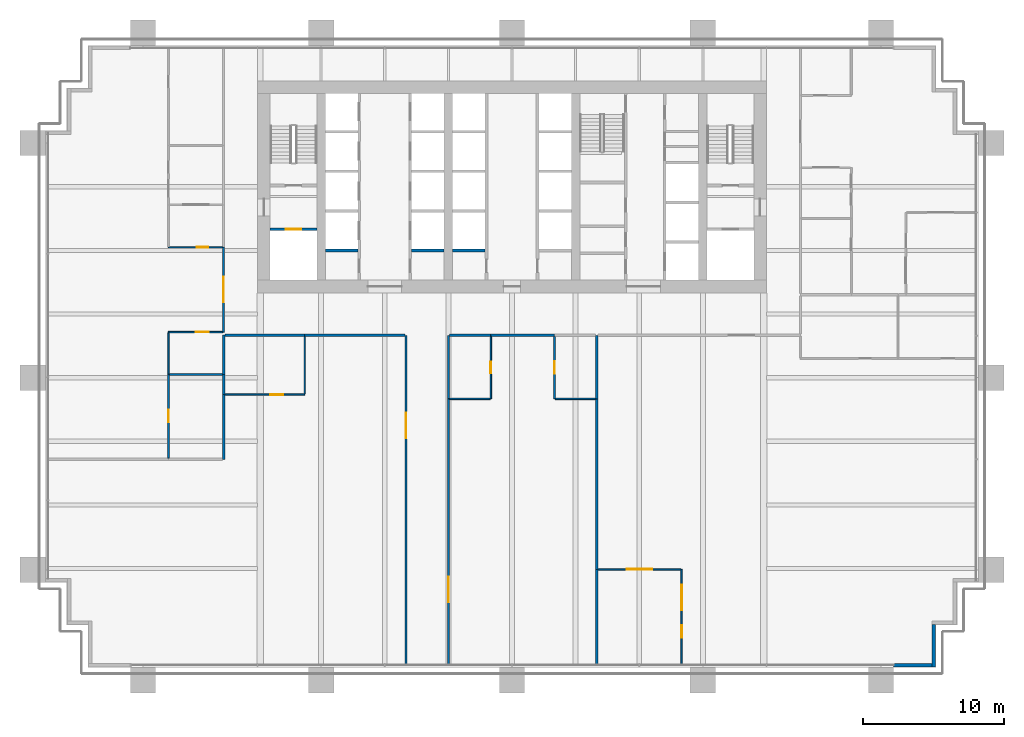
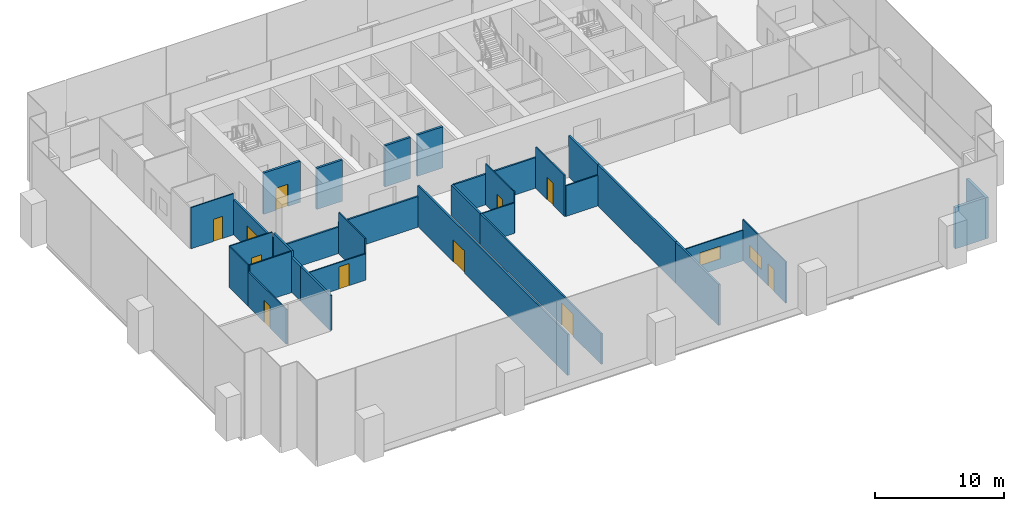
# One storey, part 11 of 17: 33 walls, 11 doors, 2 windows, 13 openings.
"""IFC4 building model written with IfcOpenShell, lengths in metres."""

from ifc_helpers import new_model, si_unit, direction, frame, frame_2d, origin, place, context, subcontext, project, spatial, rectangle, extrude, material, layer, layer_set, type_object, element, fill, save


model = new_model("IFC4")

# Units and contexts
model_context = context("Model", 3, precision=1e-05, world=origin(), true_north=direction((0.0, 1.0)))
body_context = subcontext(model_context, "Body", "Model", "MODEL_VIEW")
ifc_project = project(units=[si_unit("LENGTHUNIT", "METRE"), si_unit("AREAUNIT", "SQUARE_METRE"), si_unit("VOLUMEUNIT", "CUBIC_METRE"), si_unit("PLANEANGLEUNIT", "RADIAN"), si_unit("MASSUNIT", "GRAM", prefix="KILO")], contexts=[model_context])

# Site, building, storey
site_placement = place(None, origin())
site = spatial("IfcSite", under=ifc_project, at=site_placement, CompositionType="ELEMENT")
building_placement = place(site_placement, origin())
building = spatial("IfcBuilding", under=site, at=building_placement, Name="Rattan Terrace Tower", CompositionType="ELEMENT")
storey_placement = place(building_placement, frame((0.0, 0.0, 44.699951171875)))
storey = spatial("IfcBuildingStorey", under=building, at=storey_placement, Name="L09", CompositionType="ELEMENT", Elevation=44.699951171875)

# Wall, opening, door
ifc_material_1 = material(Name="Gypsum board partition")
ifc_layer_1 = layer(ifc_material_1, 0.199951171875)
ifc_layer_set_1 = layer_set([ifc_layer_1], Name="Core partition 200")
wall_type_1 = type_object("IfcWallType", Name="Core partition 200", PredefinedType="PARTITIONING", material=ifc_layer_set_1)
wall_1_placement = place(storey_placement, frame((-17.10009765625, -3.0, 0.0), z_axis=(0.0, 0.0, 1.0), x_axis=(1.0, 0.0, 0.0)))
wall_1 = element("IfcWall", 1, at=wall_1_placement, inside=storey, type_object=wall_type_1, Name="Fire-fighting lobby wall", PredefinedType="PARTITIONING", context=body_context, shape_type="SweptSolid", body=[
    extrude(rectangle(XDim=3.300048828125, YDim=0.199951171875, at=frame_2d((1.64990234375, 0.0))), origin(), (0.0, 0.0, 1.0), 3.900146484375),
])
opening_1_placement = place(wall_1_placement, frame((1.10009765625, 0.0, 0.0)))
opening_1 = element("IfcOpeningElement", 2, at=opening_1_placement, cuts=wall_1, Name="Opening L09-LD-FF1", PredefinedType="OPENING", context=body_context, shape_type="SweptSolid", body=[
    extrude(rectangle(XDim=1.10009765625, YDim=2.10009765625, at=frame_2d((0.550048828125, 1.050048828125))), frame((0.0, 0.110595703125, 0.0), z_axis=(0.0, -1.0, 0.0), x_axis=(1.0, 0.0, 0.0)), (0.0, 0.0, 1.0), 0.220947265625),
])
ifc_material_2 = material(Name="Brushed stainless landing door panel")
door_type_1 = type_object("IfcDoorType", Name="Core lift landing door 1100", OperationType="DOUBLE_DOOR_SLIDING", PredefinedType="DOOR", material=ifc_material_2)
door_1_placement = place(opening_1_placement, origin())
door_1 = element("IfcDoor", 3, at=door_1_placement, inside=storey, type_object=door_type_1, Name="Door L09-LD-FF1", OperationType="DOUBLE_DOOR_SLIDING", OverallHeight=2.10009765625, OverallWidth=1.10009765625, PredefinedType="DOOR", context=body_context, shape_type="SweptSolid", body=[
    extrude(rectangle(XDim=1.10009765625, YDim=2.10009765625, at=frame_2d((0.550048828125, 1.050048828125))), frame((0.0, 0.02490234375, 0.0), z_axis=(0.0, -1.0, 0.0), x_axis=(1.0, 0.0, 0.0)), (0.0, 0.0, 1.0), 0.050048828125),
])
fill(opening_1, door_1)

# Walls
ifc_material_3 = material(Name="Insulated aluminium-clad stud wall", Category="aluminium")
ifc_layer_2 = layer(ifc_material_3, 0.25)
ifc_layer_set_2 = layer_set([ifc_layer_2], Name="Facade Riser Wall 250")
wall_type_2 = type_object("IfcWallType", Name="Facade Riser Wall 250", PredefinedType="SOLIDWALL", material=ifc_layer_set_2)
wall_2_placement = place(storey_placement, frame((27.0, -33.830078125, 0.0), z_axis=(0.0, 0.0, 1.0), x_axis=(1.0, 0.0, 0.0)))
element("IfcWall", 4, at=wall_2_placement, inside=storey, type_object=wall_type_2, Name="Riser wall L09-1", PredefinedType="SOLIDWALL", context=body_context, shape_type="SweptSolid", body=[
    extrude(rectangle(XDim=2.705078125, YDim=0.25, at=frame_2d((1.3525390625, 0.0))), origin(), (0.0, 0.0, 1.0), 3.900146484375),
])
wall_3_placement = place(storey_placement, frame((29.830078125, -33.955078125, 0.0), z_axis=(0.0, 0.0, 1.0), x_axis=(0.0, 1.0, 0.0)))
element("IfcWall", 5, at=wall_3_placement, inside=storey, type_object=wall_type_2, Name="Riser wall L09-2", PredefinedType="SOLIDWALL", context=body_context, shape_type="SweptSolid", body=[
    extrude(rectangle(XDim=3.0, YDim=0.25, at=frame_2d((1.5, 0.0))), origin(), (0.0, 0.0, 1.0), 3.900146484375),
])
ifc_material_4 = material(Name="Double steel stud acoustic partition, gypsum board, mineral wool, fire rated", Category="steel")
ifc_layer_3 = layer(ifc_material_4, 0.179931640625)
ifc_layer_set_3 = layer_set([ifc_layer_3], Name="Floors Acoustic Party Wall 180")
wall_type_3 = type_object("IfcWallType", Name="Floors Acoustic Party Wall 180", PredefinedType="PARTITIONING", material=ifc_layer_set_3)
wall_4_placement = place(storey_placement, frame((-20.39990234375, -14.679931640625, 0.0), z_axis=(0.0, 0.0, 1.0), x_axis=(0.0, -1.0, 0.0)))
element("IfcWall", 6, at=wall_4_placement, inside=storey, type_object=wall_type_3, Name="pt-L09-029", PredefinedType="PARTITIONING", context=body_context, shape_type="SweptSolid", body=[
    extrude(rectangle(XDim=4.593017578125, YDim=0.179931640625, at=frame_2d((2.29638671875, 0.0))), origin(), (0.0, 0.0, 1.0), 3.300048828125),
])
wall_5_placement = place(storey_placement, frame((-20.39990234375, -13.27294921875, 0.0), z_axis=(0.0, 0.0, 1.0), x_axis=(0.0, -1.0, 0.0)))
element("IfcWall", 7, at=wall_5_placement, inside=storey, type_object=wall_type_3, Name="pt-L09-030", PredefinedType="PARTITIONING", context=body_context, shape_type="SweptSolid", body=[
    extrude(rectangle(XDim=1.406982421875, YDim=0.179931640625, at=frame_2d((0.70361328125, 0.0))), origin(), (0.0, 0.0, 1.0), 3.300048828125),
])
wall_6_placement = place(storey_placement, frame((-20.39990234375, -10.47998046875, 0.0), z_axis=(0.0, 0.0, 1.0), x_axis=(0.0, -1.0, 0.0)))
element("IfcWall", 8, at=wall_6_placement, inside=storey, type_object=wall_type_3, Name="pt-L09-031", PredefinedType="PARTITIONING", context=body_context, shape_type="SweptSolid", body=[
    extrude(rectangle(XDim=2.79296875, YDim=0.179931640625, at=frame_2d((1.396484375, 0.0))), origin(), (0.0, 0.0, 1.0), 3.900146484375),
])
wall_7_placement = place(storey_placement, frame((6.0, -15.0, 0.0), z_axis=(0.0, 0.0, 1.0), x_axis=(0.0, -1.0, 0.0)))
element("IfcWall", 9, at=wall_7_placement, inside=storey, type_object=wall_type_3, Name="pt-L09-052", PredefinedType="PARTITIONING", context=body_context, shape_type="SweptSolid", body=[
    extrude(rectangle(XDim=12.080078125, YDim=0.179931640625, at=frame_2d((6.0400390625, 0.0))), origin(), (0.0, 0.0, 1.0), 3.900146484375),
])
wall_8_placement = place(storey_placement, frame((6.0, -27.080078125, 0.0), z_axis=(0.0, 0.0, 1.0), x_axis=(0.0, -1.0, 0.0)))
element("IfcWall", 10, at=wall_8_placement, inside=storey, type_object=wall_type_3, Name="pt-L09-053", PredefinedType="PARTITIONING", context=body_context, shape_type="SweptSolid", body=[
    extrude(rectangle(XDim=6.659912109375, YDim=0.179931640625, at=frame_2d((3.330078125, 0.0))), origin(), (0.0, 0.0, 1.0), 3.900146484375),
])
wall_9_placement = place(storey_placement, frame((6.0, -10.5, 0.0), z_axis=(0.0, 0.0, 1.0), x_axis=(0.0, -1.0, 0.0)))
element("IfcWall", 11, at=wall_9_placement, inside=storey, type_object=wall_type_3, Name="pt-L09-054", PredefinedType="PARTITIONING", context=body_context, shape_type="SweptSolid", body=[
    extrude(rectangle(XDim=4.5, YDim=0.179931640625, at=frame_2d((2.25, 0.0))), origin(), (0.0, 0.0, 1.0), 3.900146484375),
])
ifc_material_5 = material(Name="Gypsum board partition on steel studs", Category="steel")
ifc_layer_4 = layer(ifc_material_5, 0.10009765625)
ifc_layer_set_4 = layer_set([ifc_layer_4], Name="Floors Partition 100")
wall_type_4 = type_object("IfcWallType", Name="Floors Partition 100", PredefinedType="PARTITIONING", material=ifc_layer_set_4)
wall_10_placement = place(storey_placement, frame((-24.300048828125, -10.322998046875, 0.0), z_axis=(0.0, 0.0, 1.0), x_axis=(0.0, -1.0, 0.0)))
element("IfcWall", 12, at=wall_10_placement, inside=storey, type_object=wall_type_4, Name="pt-L09-020", PredefinedType="PARTITIONING", context=body_context, shape_type="SweptSolid", body=[
    extrude(rectangle(XDim=2.929931640625, YDim=0.10009765625, at=frame_2d((1.46484375, 0.0))), origin(), (0.0, 0.0, 1.0), 3.900146484375),
])

# Wall, opening, door
wall_11_placement = place(storey_placement, frame((-20.47509765625, -10.27294921875, 0.0), z_axis=(0.0, 0.0, 1.0), x_axis=(-1.0, 0.0, 0.0)))
wall_11 = element("IfcWall", 13, at=wall_11_placement, inside=storey, type_object=wall_type_4, Name="pt-L09-021", PredefinedType="PARTITIONING", context=body_context, shape_type="SweptSolid", body=[
    extrude(rectangle(XDim=3.824951171875, YDim=0.10009765625, at=frame_2d((1.91259765625, 0.0))), origin(), (0.0, 0.0, 1.0), 3.900146484375),
])
opening_2_placement = place(wall_11_placement, frame((0.97705078125, 0.0, 0.0)))
opening_2 = element("IfcOpeningElement", 14, at=opening_2_placement, cuts=wall_11, Name="Opening L09-D102", PredefinedType="OPENING", context=body_context, shape_type="SweptSolid", body=[
    extrude(rectangle(XDim=0.89990234375, YDim=2.10009765625, at=frame_2d((0.449951171875, 1.050048828125))), frame((0.0, 0.060546875, 0.0), z_axis=(0.0, -1.0, 0.0), x_axis=(1.0, 0.0, 0.0)), (0.0, 0.0, 1.0), 0.12109375),
])
ifc_material_6 = material(Name="Solid core timber door, painted", Category="wood")
door_type_2 = type_object("IfcDoorType", Name="Floors Door 900x2100", OperationType="NOTDEFINED", PredefinedType="DOOR", material=ifc_material_6)
door_2_placement = place(opening_2_placement, origin())
door_2 = element("IfcDoor", 15, at=door_2_placement, inside=storey, type_object=door_type_2, Name="d-L09-102", OperationType="SINGLE_SWING_LEFT", OverallHeight=2.10009765625, OverallWidth=0.89990234375, PredefinedType="DOOR", context=body_context, shape_type="SweptSolid", body=[
    extrude(rectangle(XDim=0.89990234375, YDim=2.10009765625, at=frame_2d((0.449951171875, 1.050048828125))), frame((0.0, 0.02490234375, 0.0), z_axis=(0.0, -1.0, 0.0), x_axis=(1.0, 0.0, 0.0)), (0.0, 0.0, 1.0), 0.050048828125),
])
fill(opening_2, door_2)

wall_12_placement = place(storey_placement, frame((-24.300048828125, -4.27294921875, 0.0), z_axis=(0.0, 0.0, 1.0), x_axis=(1.0, 0.0, 0.0)))
wall_12 = element("IfcWall", 16, at=wall_12_placement, inside=storey, type_object=wall_type_4, Name="pt-L09-023", PredefinedType="PARTITIONING", context=body_context, shape_type="SweptSolid", body=[
    extrude(rectangle(XDim=3.824951171875, YDim=0.10009765625, at=frame_2d((1.91259765625, 0.0))), origin(), (0.0, 0.0, 1.0), 3.900146484375),
])
opening_3_placement = place(wall_12_placement, frame((2.01708984375, 0.0, 0.0)))
opening_3 = element("IfcOpeningElement", 17, at=opening_3_placement, cuts=wall_12, Name="Opening L09-D103", PredefinedType="OPENING", context=body_context, shape_type="SweptSolid", body=[
    extrude(rectangle(XDim=0.800048828125, YDim=2.10009765625, at=frame_2d((0.39990234375, 1.050048828125))), frame((0.0, 0.060546875, 0.0), z_axis=(0.0, -1.0, 0.0), x_axis=(1.0, 0.0, 0.0)), (0.0, 0.0, 1.0), 0.12109375),
])
ifc_material_7 = material(Name="Solid core timber door, painted", Category="wood")
door_type_3 = type_object("IfcDoorType", Name="Floors Store Door 800x2100", OperationType="NOTDEFINED", PredefinedType="DOOR", material=ifc_material_7)
door_3_placement = place(opening_3_placement, origin())
door_3 = element("IfcDoor", 18, at=door_3_placement, inside=storey, type_object=door_type_3, Name="d-L09-103", OperationType="SINGLE_SWING_RIGHT", OverallHeight=2.10009765625, OverallWidth=0.800048828125, PredefinedType="DOOR", context=body_context, shape_type="SweptSolid", body=[
    extrude(rectangle(XDim=0.800048828125, YDim=2.10009765625, at=frame_2d((0.39990234375, 1.050048828125))), frame((0.0, 0.02490234375, 0.0), z_axis=(0.0, -1.0, 0.0), x_axis=(1.0, 0.0, 0.0)), (0.0, 0.0, 1.0), 0.050048828125),
])
fill(opening_3, door_3)

wall_13_placement = place(storey_placement, frame((-20.31005859375, -14.699951171875, 0.0), z_axis=(0.0, 0.0, 1.0), x_axis=(1.0, 0.0, 0.0)))
wall_13 = element("IfcWall", 19, at=wall_13_placement, inside=storey, type_object=wall_type_4, Name="pt-L09-046", PredefinedType="PARTITIONING", context=body_context, shape_type="SweptSolid", body=[
    extrude(rectangle(XDim=5.650146484375, YDim=0.10009765625, at=frame_2d((2.8251953125, 0.0))), origin(), (0.0, 0.0, 1.0), 2.5),
])
opening_4_placement = place(wall_13_placement, frame((3.22509765625, 0.0, 0.0)))
opening_4 = element("IfcOpeningElement", 20, at=opening_4_placement, cuts=wall_13, Name="Opening L09-D112", PredefinedType="OPENING", context=body_context, shape_type="SweptSolid", body=[
    extrude(rectangle(XDim=0.89990234375, YDim=2.10009765625, at=frame_2d((0.449951171875, 1.050048828125))), frame((0.0, 0.060546875, 0.0), z_axis=(0.0, -1.0, 0.0), x_axis=(1.0, 0.0, 0.0)), (0.0, 0.0, 1.0), 0.12109375),
])
door_4_placement = place(opening_4_placement, origin())
door_4 = element("IfcDoor", 21, at=door_4_placement, inside=storey, type_object=door_type_2, Name="d-L09-112", OperationType="SINGLE_SWING_RIGHT", OverallHeight=2.10009765625, OverallWidth=0.89990234375, PredefinedType="DOOR", context=body_context, shape_type="SweptSolid", body=[
    extrude(rectangle(XDim=0.89990234375, YDim=2.10009765625, at=frame_2d((0.449951171875, 1.050048828125))), frame((0.0, 0.02490234375, 0.0), z_axis=(0.0, -1.0, 0.0), x_axis=(1.0, 0.0, 0.0)), (0.0, 0.0, 1.0), 0.050048828125),
])
fill(opening_4, door_4)

# Walls
wall_14_placement = place(storey_placement, frame((-14.659912109375, -14.64990234375, 0.0), z_axis=(0.0, 0.0, 1.0), x_axis=(0.0, 1.0, 0.0)))
element("IfcWall", 22, at=wall_14_placement, inside=storey, type_object=wall_type_4, Name="pt-L09-047", PredefinedType="PARTITIONING", context=body_context, shape_type="SweptSolid", body=[
    extrude(rectangle(XDim=4.074951171875, YDim=0.10009765625, at=frame_2d((2.03759765625, 0.0))), origin(), (0.0, 0.0, 1.0), 3.900146484375),
])
wall_15_placement = place(storey_placement, frame((-4.425048828125, -15.0, 0.0), z_axis=(0.0, 0.0, 1.0), x_axis=(1.0, 0.0, 0.0)))
element("IfcWall", 23, at=wall_15_placement, inside=storey, type_object=wall_type_4, Name="pt-L09-048", PredefinedType="PARTITIONING", context=body_context, shape_type="SweptSolid", body=[
    extrude(rectangle(XDim=2.875, YDim=0.10009765625, at=frame_2d((1.4375, 0.0))), origin(), (0.0, 0.0, 1.0), 2.900146484375),
])

# Wall, opening, door
wall_16_placement = place(storey_placement, frame((-1.5, -15.0, 0.0), z_axis=(0.0, 0.0, 1.0), x_axis=(0.0, 1.0, 0.0)))
wall_16 = element("IfcWall", 24, at=wall_16_placement, inside=storey, type_object=wall_type_4, Name="pt-L09-049", PredefinedType="PARTITIONING", context=body_context, shape_type="SweptSolid", body=[
    extrude(rectangle(XDim=4.425048828125, YDim=0.10009765625, at=frame_2d((2.21240234375, 0.0))), origin(), (0.0, 0.0, 1.0), 3.900146484375),
])
opening_5_placement = place(wall_16_placement, frame((1.81298828125, 0.0, 0.0)))
opening_5 = element("IfcOpeningElement", 25, at=opening_5_placement, cuts=wall_16, Name="Opening L09-D114", PredefinedType="OPENING", context=body_context, shape_type="SweptSolid", body=[
    extrude(rectangle(XDim=0.800048828125, YDim=2.10009765625, at=frame_2d((0.39990234375, 1.050048828125))), frame((0.0, 0.060546875, 0.0), z_axis=(0.0, -1.0, 0.0), x_axis=(1.0, 0.0, 0.0)), (0.0, 0.0, 1.0), 0.12109375),
])
door_5_placement = place(opening_5_placement, origin())
door_5 = element("IfcDoor", 26, at=door_5_placement, inside=storey, type_object=door_type_3, Name="d-L09-114", OperationType="SINGLE_SWING_LEFT", OverallHeight=2.10009765625, OverallWidth=0.800048828125, PredefinedType="DOOR", context=body_context, shape_type="SweptSolid", body=[
    extrude(rectangle(XDim=0.800048828125, YDim=2.10009765625, at=frame_2d((0.39990234375, 1.050048828125))), frame((0.0, 0.02490234375, 0.0), z_axis=(0.0, -1.0, 0.0), x_axis=(1.0, 0.0, 0.0)), (0.0, 0.0, 1.0), 0.050048828125),
])
fill(opening_5, door_5)

# Wall, opening, window
wall_17_placement = place(storey_placement, frame((11.949951171875, -27.06005859375, 0.0), z_axis=(0.0, 0.0, 1.0), x_axis=(-1.0, 0.0, 0.0)))
wall_17 = element("IfcWall", 27, at=wall_17_placement, inside=storey, type_object=wall_type_4, Name="pt-L09-055", PredefinedType="PARTITIONING", context=body_context, shape_type="SweptSolid", body=[
    extrude(rectangle(XDim=5.85986328125, YDim=0.10009765625, at=frame_2d((2.929931640625, 0.0))), origin(), (0.0, 0.0, 1.0), 2.900146484375),
])
opening_6_placement = place(wall_17_placement, frame((2.030029296875, 0.0, 0.89990234375)))
opening_6 = element("IfcOpeningElement", 28, at=opening_6_placement, cuts=wall_17, Name="Opening L09-W106", PredefinedType="OPENING", context=body_context, shape_type="SweptSolid", body=[
    extrude(rectangle(XDim=1.800048828125, YDim=1.199951171875, at=frame_2d((0.89990234375, 0.60009765625))), frame((0.0, 0.060546875, 0.0), z_axis=(0.0, -1.0, 0.0), x_axis=(1.0, 0.0, 0.0)), (0.0, 0.0, 1.0), 0.12109375),
])
ifc_material_8 = material(Name="Glass, clear, fixed in aluminium frame", Category="aluminium")
window_type = type_object("IfcWindowType", Name="Interior Vision Window 1800x1200", PartitioningType="SINGLE_PANEL", PredefinedType="WINDOW", material=ifc_material_8)
window_1_placement = place(opening_6_placement, origin())
window_1 = element("IfcWindow", 29, at=window_1_placement, inside=storey, type_object=window_type, Name="w-L09-106", OverallHeight=1.199951171875, OverallWidth=1.800048828125, PartitioningType="SINGLE_PANEL", PredefinedType="WINDOW", context=body_context, shape_type="SweptSolid", body=[
    extrude(rectangle(XDim=1.800048828125, YDim=1.199951171875, at=frame_2d((0.89990234375, 0.60009765625))), frame((0.0, 0.030029296875, 0.0), z_axis=(0.0, -1.0, 0.0), x_axis=(1.0, 0.0, 0.0)), (0.0, 0.0, 1.0), 0.06005859375),
])
fill(opening_6, window_1)

# Wall, openings, door, window
wall_18_placement = place(storey_placement, frame((12.0, -33.739990234375, 0.0), z_axis=(0.0, 0.0, 1.0), x_axis=(0.0, 1.0, 0.0)))
wall_18 = element("IfcWall", 30, at=wall_18_placement, inside=storey, type_object=wall_type_4, Name="pt-L09-056", PredefinedType="PARTITIONING", context=body_context, shape_type="SweptSolid", body=[
    extrude(rectangle(XDim=6.679931640625, YDim=0.10009765625, at=frame_2d((3.33984375, 0.0))), origin(), (0.0, 0.0, 1.0), 3.900146484375),
])
opening_7_placement = place(wall_18_placement, frame((1.833984375, 0.0, 0.0)))
opening_7 = element("IfcOpeningElement", 31, at=opening_7_placement, cuts=wall_18, Name="Opening L09-D117", PredefinedType="OPENING", context=body_context, shape_type="SweptSolid", body=[
    extrude(rectangle(XDim=0.89990234375, YDim=2.10009765625, at=frame_2d((0.449951171875, 1.050048828125))), frame((0.0, 0.060546875, 0.0), z_axis=(0.0, -1.0, 0.0), x_axis=(1.0, 0.0, 0.0)), (0.0, 0.0, 1.0), 0.12109375),
])
opening_8_placement = place(wall_18_placement, frame((3.781982421875, 0.0, 0.89990234375)))
opening_8 = element("IfcOpeningElement", 32, at=opening_8_placement, cuts=wall_18, Name="Opening L09-W107", PredefinedType="OPENING", context=body_context, shape_type="SweptSolid", body=[
    extrude(rectangle(XDim=1.800048828125, YDim=1.199951171875, at=frame_2d((0.89990234375, 0.60009765625))), frame((0.0, 0.060546875, 0.0), z_axis=(0.0, -1.0, 0.0), x_axis=(1.0, 0.0, 0.0)), (0.0, 0.0, 1.0), 0.12109375),
])
door_6_placement = place(opening_7_placement, origin())
door_6 = element("IfcDoor", 33, at=door_6_placement, inside=storey, type_object=door_type_2, Name="d-L09-117", OperationType="SINGLE_SWING_LEFT", OverallHeight=2.10009765625, OverallWidth=0.89990234375, PredefinedType="DOOR", context=body_context, shape_type="SweptSolid", body=[
    extrude(rectangle(XDim=0.89990234375, YDim=2.10009765625, at=frame_2d((0.449951171875, 1.050048828125))), frame((0.0, 0.02490234375, 0.0), z_axis=(0.0, -1.0, 0.0), x_axis=(1.0, 0.0, 0.0)), (0.0, 0.0, 1.0), 0.050048828125),
])
fill(opening_7, door_6)
window_2_placement = place(opening_8_placement, origin())
window_2 = element("IfcWindow", 34, at=window_2_placement, inside=storey, type_object=window_type, Name="w-L09-107", OverallHeight=1.199951171875, OverallWidth=1.800048828125, PartitioningType="SINGLE_PANEL", PredefinedType="WINDOW", context=body_context, shape_type="SweptSolid", body=[
    extrude(rectangle(XDim=1.800048828125, YDim=1.199951171875, at=frame_2d((0.89990234375, 0.60009765625))), frame((0.0, 0.030029296875, 0.0), z_axis=(0.0, -1.0, 0.0), x_axis=(1.0, 0.0, 0.0)), (0.0, 0.0, 1.0), 0.06005859375),
])
fill(opening_8, window_2)

# Wall, opening, door
ifc_material_9 = material(Name="Gypsum board partition on steel studs, fire rated", Category="steel")
ifc_layer_5 = layer(ifc_material_9, 0.14990234375)
ifc_layer_set_5 = layer_set([ifc_layer_5], Name="Floors Tenancy Wall 150")
wall_type_5 = type_object("IfcWallType", Name="Floors Tenancy Wall 150", PredefinedType="PARTITIONING", material=ifc_layer_set_5)
wall_19_placement = place(storey_placement, frame((-20.39990234375, -10.29296875, 0.0), z_axis=(0.0, 0.0, 1.0), x_axis=(0.0, 1.0, 0.0)))
wall_19 = element("IfcWall", 35, at=wall_19_placement, inside=storey, type_object=wall_type_5, Name="pt-L09-001", PredefinedType="PARTITIONING", context=body_context, shape_type="SweptSolid", body=[
    extrude(rectangle(XDim=6.0400390625, YDim=0.14990234375, at=frame_2d((3.02001953125, 0.0))), origin(), (0.0, 0.0, 1.0), 3.300048828125),
])
opening_9_placement = place(wall_19_placement, frame((2.1201171875, 0.0, 0.0)))
opening_9 = element("IfcOpeningElement", 36, at=opening_9_placement, cuts=wall_19, Name="Opening L09-D100", PredefinedType="OPENING", context=body_context, shape_type="SweptSolid", body=[
    extrude(rectangle(XDim=1.800048828125, YDim=2.10009765625, at=frame_2d((0.89990234375, 1.050048828125))), frame((0.0, 0.08544921875, 0.0), z_axis=(0.0, -1.0, 0.0), x_axis=(1.0, 0.0, 0.0)), (0.0, 0.0, 1.0), 0.1708984375),
])
ifc_material_10 = material(Name="Steel fire door set", Category="steel")
door_type_4 = type_object("IfcDoorType", Name="Floors Fire Door Pair FD30S 1800x2100", OperationType="NOTDEFINED", PredefinedType="DOOR", material=ifc_material_10)
door_7_placement = place(opening_9_placement, origin())
door_7 = element("IfcDoor", 37, at=door_7_placement, inside=storey, type_object=door_type_4, Name="d-L09-100", OperationType="DOUBLE_DOOR_SINGLE_SWING", OverallHeight=2.10009765625, OverallWidth=1.800048828125, PredefinedType="DOOR", context=body_context, shape_type="SweptSolid", body=[
    extrude(rectangle(XDim=1.800048828125, YDim=2.10009765625, at=frame_2d((0.89990234375, 1.050048828125))), frame((0.0, 0.02490234375, 0.0), z_axis=(0.0, -1.0, 0.0), x_axis=(1.0, 0.0, 0.0)), (0.0, 0.0, 1.0), 0.050048828125),
])
fill(opening_9, door_7)

# Wall
wall_20_placement = place(storey_placement, frame((-7.574951171875, -10.5, 0.0), z_axis=(0.0, 0.0, 1.0), x_axis=(-1.0, 0.0, 0.0)))
element("IfcWall", 38, at=wall_20_placement, inside=storey, type_object=wall_type_5, Name="pt-L09-009", PredefinedType="PARTITIONING", context=body_context, shape_type="SweptSolid", body=[
    extrude(rectangle(XDim=7.10498046875, YDim=0.14990234375, at=frame_2d((3.552490234375, 0.0))), origin(), (0.0, 0.0, 1.0), 2.900146484375),
])

# Wall, opening, door
wall_21_placement = place(storey_placement, frame((-7.5, -33.739990234375, 0.0), z_axis=(0.0, 0.0, 1.0), x_axis=(0.0, 1.0, 0.0)))
wall_21 = element("IfcWall", 39, at=wall_21_placement, inside=storey, type_object=wall_type_5, Name="pt-L09-010", PredefinedType="PARTITIONING", context=body_context, shape_type="SweptSolid", body=[
    extrude(rectangle(XDim=23.239990234375, YDim=0.14990234375, at=frame_2d((11.6201171875, 0.0))), origin(), (0.0, 0.0, 1.0), 3.900146484375),
])
opening_10_placement = place(wall_21_placement, frame((15.955078125, 0.0, 0.0)))
opening_10 = element("IfcOpeningElement", 40, at=opening_10_placement, cuts=wall_21, Name="Opening L09-D111", PredefinedType="OPENING", context=body_context, shape_type="SweptSolid", body=[
    extrude(rectangle(XDim=1.800048828125, YDim=2.10009765625, at=frame_2d((0.89990234375, 1.050048828125))), frame((0.0, 0.08544921875, 0.0), z_axis=(0.0, -1.0, 0.0), x_axis=(1.0, 0.0, 0.0)), (0.0, 0.0, 1.0), 0.1708984375),
])
door_8_placement = place(opening_10_placement, origin())
door_8 = element("IfcDoor", 41, at=door_8_placement, inside=storey, type_object=door_type_4, Name="d-L09-111", OperationType="DOUBLE_DOOR_SINGLE_SWING", OverallHeight=2.10009765625, OverallWidth=1.800048828125, PredefinedType="DOOR", context=body_context, shape_type="SweptSolid", body=[
    extrude(rectangle(XDim=1.800048828125, YDim=2.10009765625, at=frame_2d((0.89990234375, 1.050048828125))), frame((0.0, 0.02490234375, 0.0), z_axis=(0.0, -1.0, 0.0), x_axis=(1.0, 0.0, 0.0)), (0.0, 0.0, 1.0), 0.050048828125),
])
fill(opening_10, door_8)

# Wall
wall_22_placement = place(storey_placement, frame((-14.679931640625, -10.5, 0.0), z_axis=(0.0, 0.0, 1.0), x_axis=(-1.0, 0.0, 0.0)))
element("IfcWall", 42, at=wall_22_placement, inside=storey, type_object=wall_type_5, Name="pt-L09-011", PredefinedType="PARTITIONING", context=body_context, shape_type="SweptSolid", body=[
    extrude(rectangle(XDim=5.630126953125, YDim=0.14990234375, at=frame_2d((2.81494140625, 0.0))), origin(), (0.0, 0.0, 1.0), 2.5),
])

# Wall, opening, door
wall_23_placement = place(storey_placement, frame((-4.5, -14.97998046875, 0.0), z_axis=(0.0, 0.0, 1.0), x_axis=(0.0, -1.0, 0.0)))
wall_23 = element("IfcWall", 43, at=wall_23_placement, inside=storey, type_object=wall_type_5, Name="pt-L09-012", PredefinedType="PARTITIONING", context=body_context, shape_type="SweptSolid", body=[
    extrude(rectangle(XDim=18.760009765625, YDim=0.14990234375, at=frame_2d((9.3798828125, 0.0))), origin(), (0.0, 0.0, 1.0), 2.900146484375),
])
opening_11_placement = place(wall_23_placement, frame((12.594970703125, 0.0, 0.0)))
opening_11 = element("IfcOpeningElement", 44, at=opening_11_placement, cuts=wall_23, Name="Opening L09-D113", PredefinedType="OPENING", context=body_context, shape_type="SweptSolid", body=[
    extrude(rectangle(XDim=1.800048828125, YDim=2.10009765625, at=frame_2d((0.89990234375, 1.050048828125))), frame((0.0, 0.08544921875, 0.0), z_axis=(0.0, -1.0, 0.0), x_axis=(1.0, 0.0, 0.0)), (0.0, 0.0, 1.0), 0.1708984375),
])
door_9_placement = place(opening_11_placement, origin())
door_9 = element("IfcDoor", 45, at=door_9_placement, inside=storey, type_object=door_type_4, Name="d-L09-113", OperationType="DOUBLE_DOOR_SINGLE_SWING", OverallHeight=2.10009765625, OverallWidth=1.800048828125, PredefinedType="DOOR", context=body_context, shape_type="SweptSolid", body=[
    extrude(rectangle(XDim=1.800048828125, YDim=2.10009765625, at=frame_2d((0.89990234375, 1.050048828125))), frame((0.0, 0.02490234375, 0.0), z_axis=(0.0, -1.0, 0.0), x_axis=(1.0, 0.0, 0.0)), (0.0, 0.0, 1.0), 0.050048828125),
])
fill(opening_11, door_9)

# Walls
wall_24_placement = place(storey_placement, frame((3.02001953125, -10.5, 0.0), z_axis=(0.0, 0.0, 1.0), x_axis=(-1.0, 0.0, 0.0)))
element("IfcWall", 46, at=wall_24_placement, inside=storey, type_object=wall_type_5, Name="pt-L09-013", PredefinedType="PARTITIONING", context=body_context, shape_type="SweptSolid", body=[
    extrude(rectangle(XDim=4.5400390625, YDim=0.14990234375, at=frame_2d((2.27001953125, 0.0))), origin(), (0.0, 0.0, 1.0), 2.900146484375),
])
wall_25_placement = place(storey_placement, frame((-4.5, -10.5, 0.0), z_axis=(0.0, 0.0, 1.0), x_axis=(0.0, -1.0, 0.0)))
element("IfcWall", 47, at=wall_25_placement, inside=storey, type_object=wall_type_5, Name="pt-L09-014", PredefinedType="PARTITIONING", context=body_context, shape_type="SweptSolid", body=[
    extrude(rectangle(XDim=4.47998046875, YDim=0.14990234375, at=frame_2d((2.239990234375, 0.0))), origin(), (0.0, 0.0, 1.0), 2.900146484375),
])
wall_26_placement = place(storey_placement, frame((-1.52001953125, -10.5, 0.0), z_axis=(0.0, 0.0, 1.0), x_axis=(-1.0, 0.0, 0.0)))
element("IfcWall", 48, at=wall_26_placement, inside=storey, type_object=wall_type_5, Name="pt-L09-015", PredefinedType="PARTITIONING", context=body_context, shape_type="SweptSolid", body=[
    extrude(rectangle(XDim=2.905029296875, YDim=0.14990234375, at=frame_2d((1.45263671875, 0.0))), origin(), (0.0, 0.0, 1.0), 2.900146484375),
])

# Wall, opening, door
ifc_material_11 = material(Name="Moisture resistant gypsum board partition on steel studs with service cavity", Category="steel")
ifc_layer_6 = layer(ifc_material_11, 0.1201171875)
ifc_layer_set_6 = layer_set([ifc_layer_6], Name="Floors Wet Wall 120")
wall_type_6 = type_object("IfcWallType", Name="Floors Wet Wall 120", PredefinedType="PARTITIONING", material=ifc_layer_set_6)
wall_27_placement = place(storey_placement, frame((-24.300048828125, -13.2529296875, 0.0), z_axis=(0.0, 0.0, 1.0), x_axis=(0.0, -1.0, 0.0)))
wall_27 = element("IfcWall", 49, at=wall_27_placement, inside=storey, type_object=wall_type_6, Name="pt-L09-019", PredefinedType="PARTITIONING", context=body_context, shape_type="SweptSolid", body=[
    extrude(rectangle(XDim=5.93017578125, YDim=0.1201171875, at=frame_2d((2.965087890625, 0.0))), origin(), (0.0, 0.0, 1.0), 3.300048828125),
])
opening_12_placement = place(wall_27_placement, frame((2.514892578125, 0.0, 0.0)))
opening_12 = element("IfcOpeningElement", 50, at=opening_12_placement, cuts=wall_27, Name="Opening L09-D101", PredefinedType="OPENING", context=body_context, shape_type="SweptSolid", body=[
    extrude(rectangle(XDim=0.89990234375, YDim=2.10009765625, at=frame_2d((0.449951171875, 1.050048828125))), frame((0.0, 0.070556640625, 0.0), z_axis=(0.0, -1.0, 0.0), x_axis=(1.0, 0.0, 0.0)), (0.0, 0.0, 1.0), 0.14111328125),
])
door_10_placement = place(opening_12_placement, origin())
door_10 = element("IfcDoor", 51, at=door_10_placement, inside=storey, type_object=door_type_2, Name="d-L09-101", OperationType="SINGLE_SWING_RIGHT", OverallHeight=2.10009765625, OverallWidth=0.89990234375, PredefinedType="DOOR", context=body_context, shape_type="SweptSolid", body=[
    extrude(rectangle(XDim=0.89990234375, YDim=2.10009765625, at=frame_2d((0.449951171875, 1.050048828125))), frame((0.0, 0.02490234375, 0.0), z_axis=(0.0, -1.0, 0.0), x_axis=(1.0, 0.0, 0.0)), (0.0, 0.0, 1.0), 0.050048828125),
])
fill(opening_12, door_10)

# Wall
wall_28_placement = place(storey_placement, frame((-24.239990234375, -13.27294921875, 0.0), z_axis=(0.0, 0.0, 1.0), x_axis=(1.0, 0.0, 0.0)))
element("IfcWall", 52, at=wall_28_placement, inside=storey, type_object=wall_type_6, Name="pt-L09-027", PredefinedType="PARTITIONING", context=body_context, shape_type="SweptSolid", body=[
    extrude(rectangle(XDim=3.75, YDim=0.1201171875, at=frame_2d((1.875, 0.0))), origin(), (0.0, 0.0, 1.0), 3.900146484375),
])

# Wall, opening, door
wall_29_placement = place(storey_placement, frame((3.0, -10.574951171875, 0.0), z_axis=(0.0, 0.0, 1.0), x_axis=(0.0, -1.0, 0.0)))
wall_29 = element("IfcWall", 53, at=wall_29_placement, inside=storey, type_object=wall_type_6, Name="pt-L09-050", PredefinedType="PARTITIONING", context=body_context, shape_type="SweptSolid", body=[
    extrude(rectangle(XDim=4.425048828125, YDim=0.1201171875, at=frame_2d((2.21240234375, 0.0))), origin(), (0.0, 0.0, 1.0), 3.900146484375),
])
opening_13_placement = place(wall_29_placement, frame((1.762939453125, 0.0, 0.0)))
opening_13 = element("IfcOpeningElement", 54, at=opening_13_placement, cuts=wall_29, Name="Opening L09-D115", PredefinedType="OPENING", context=body_context, shape_type="SweptSolid", body=[
    extrude(rectangle(XDim=0.89990234375, YDim=2.10009765625, at=frame_2d((0.449951171875, 1.050048828125))), frame((0.0, 0.070556640625, 0.0), z_axis=(0.0, -1.0, 0.0), x_axis=(1.0, 0.0, 0.0)), (0.0, 0.0, 1.0), 0.14111328125),
])
door_11_placement = place(opening_13_placement, origin())
door_11 = element("IfcDoor", 55, at=door_11_placement, inside=storey, type_object=door_type_2, Name="d-L09-115", OperationType="SINGLE_SWING_RIGHT", OverallHeight=2.10009765625, OverallWidth=0.89990234375, PredefinedType="DOOR", context=body_context, shape_type="SweptSolid", body=[
    extrude(rectangle(XDim=0.89990234375, YDim=2.10009765625, at=frame_2d((0.449951171875, 1.050048828125))), frame((0.0, 0.02490234375, 0.0), z_axis=(0.0, -1.0, 0.0), x_axis=(1.0, 0.0, 0.0)), (0.0, 0.0, 1.0), 0.050048828125),
])
fill(opening_13, door_11)

# Walls
wall_30_placement = place(storey_placement, frame((3.06005859375, -15.0, 0.0), z_axis=(0.0, 0.0, 1.0), x_axis=(1.0, 0.0, 0.0)))
element("IfcWall", 56, at=wall_30_placement, inside=storey, type_object=wall_type_6, Name="pt-L09-051", PredefinedType="PARTITIONING", context=body_context, shape_type="SweptSolid", body=[
    extrude(rectangle(XDim=2.849853515625, YDim=0.1201171875, at=frame_2d((1.4248046875, 0.0))), origin(), (0.0, 0.0, 1.0), 2.900146484375),
])
ifc_material_12 = material(Name="Gypsum shaft wall system")
ifc_layer_7 = layer(ifc_material_12, 0.199951171875)
ifc_layer_set_7 = layer_set([ifc_layer_7], Name="Lift shaft wall 200")
wall_type_7 = type_object("IfcWallType", Name="Lift shaft wall 200", PredefinedType="PARTITIONING", material=ifc_layer_set_7)
for number, where, z_axis, x_axis, name in (
    (57, (-13.199951171875, -4.5, 0.0), (0.0, 0.0, 1.0), (1.0, 0.0, 0.0), "Lift shaft wall"),
    (58, (-7.10009765625, -4.5, 0.0), (0.0, 0.0, 1.0), (1.0, 0.0, 0.0), "Lift shaft wall"),
    (59, (-4.199951171875, -4.5, 0.0), (0.0, 0.0, 1.0), (1.0, 0.0, 0.0), "Lift shaft wall"),
):
    element("IfcWall", number, at=place(storey_placement, frame(where, z_axis=z_axis, x_axis=x_axis)), inside=storey, type_object=wall_type_7, Name=name, PredefinedType="PARTITIONING", context=body_context, shape_type="SweptSolid", body=[
        extrude(rectangle(XDim=2.300048828125, YDim=0.199951171875, at=frame_2d((1.14990234375, 0.0))), origin(), (0.0, 0.0, 1.0), 3.900146484375),
    ])

save(model, "model.ifc")
